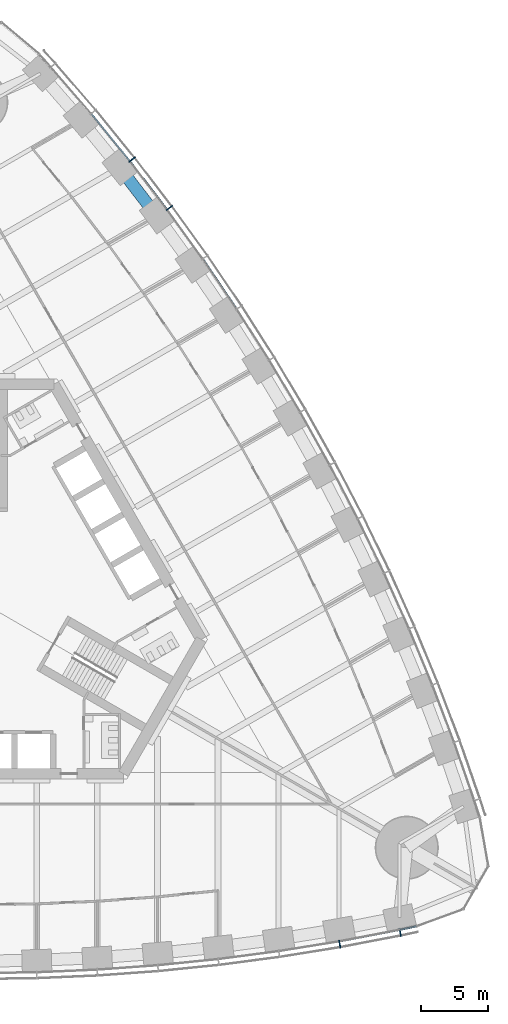
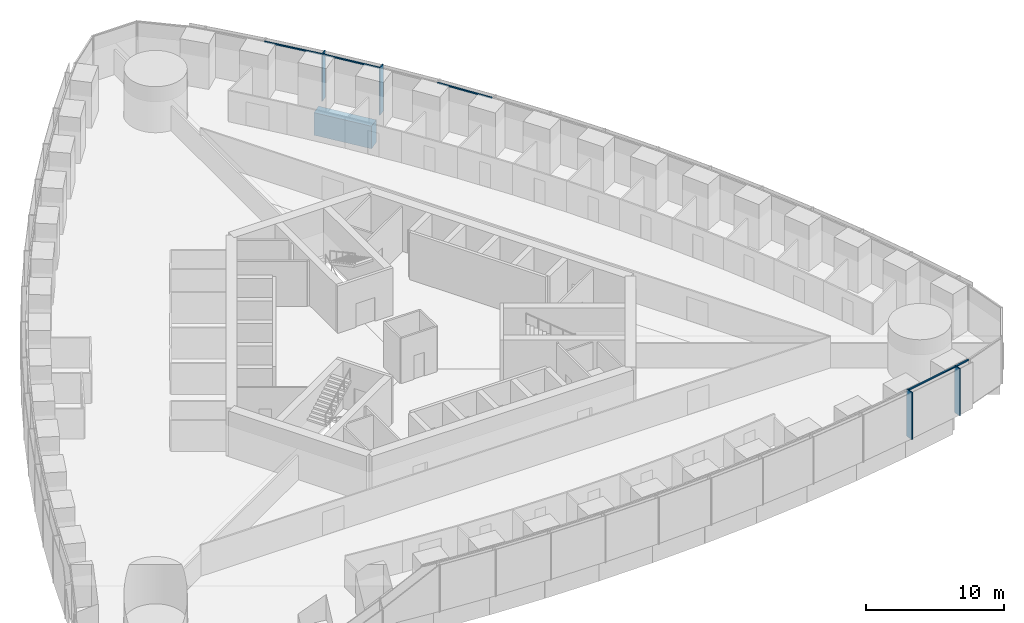
# One storey, part 5 of 18: 9 members, 1 beam, 2 elements without a shape of their own.
"""IFC4 building model written with IfcOpenShell, lengths in metres."""

from ifc_helpers import new_model, si_unit, direction, frame, origin, origin_2d, place, context, subcontext, project, spatial, rectangle, extrude, material, material_profile, profile_set, type_object, element, aggregate, save


model = new_model("IFC4")

# Units and contexts
model_context = context("Model", 3, precision=1e-05, world=origin(), true_north=direction((0.0, 1.0)))
body_context = subcontext(model_context, "Body", "Model", "MODEL_VIEW")
ifc_project = project(units=[si_unit("LENGTHUNIT", "METRE"), si_unit("AREAUNIT", "SQUARE_METRE"), si_unit("VOLUMEUNIT", "CUBIC_METRE"), si_unit("PLANEANGLEUNIT", "RADIAN"), si_unit("MASSUNIT", "GRAM", prefix="KILO")], contexts=[model_context])

# Site, building, storey
site_placement = place(None, origin())
site = spatial("IfcSite", under=ifc_project, at=site_placement, CompositionType="ELEMENT")
building_placement = place(site_placement, origin())
building = spatial("IfcBuilding", under=site, at=building_placement, Name="Trefoil Bronze Tower", CompositionType="ELEMENT")
storey_placement = place(building_placement, frame((0.0, 0.0, 62.699951171875)))
storey = spatial("IfcBuildingStorey", under=building, at=storey_placement, Name="L14", CompositionType="ELEMENT", Elevation=62.699951171875)

# Curtain wall, members
ifc_material_1 = material(Name="Tinted solar-control glass", Category="glass")
curtain_wall_type = type_object("IfcCurtainWallType", Name="Bronze office curtain wall", PredefinedType="USERDEFINED", material=ifc_material_1)
curtain_wall_1_placement = place(storey_placement, origin())
curtain_wall_1 = element("IfcCurtainWall", 1, at=curtain_wall_1_placement, inside=storey, type_object=curtain_wall_type, Name="CW-A L14 F1", ObjectType="CURTAIN WALL", PredefinedType="USERDEFINED")
ifc_material_2 = material(Name="Bronze-finish aluminium", Category="aluminium")
ifc_material_profile_1 = material_profile(ifc_material_2, rectangle(XDim=0.60009765625, YDim=0.080078125, at=origin_2d()), Name="CW-A mullion")
ifc_profile_set_1 = profile_set([ifc_material_profile_1], Name="Bronze-finish aluminium")
member_type_1 = type_object("IfcMemberType", Name="Bronze office curtain wall mullion", PredefinedType="MULLION", material=ifc_profile_set_1)
member_1_placement = place(storey_placement, frame((27.05224609375, -25.67578125, 0.0), z_axis=(0.0, 0.0, 1.0), x_axis=(-0.174131146426, 0.984722470468, 0.0)))
member_1 = element("IfcMember", 2, at=member_1_placement, type_object=member_type_1, Name="CW-A L14 F1 mullion 15", PredefinedType="MULLION", context=body_context, shape_type="SweptSolid", body=[
    extrude(rectangle(XDim=0.60009765625, YDim=0.080078125, at=origin_2d()), origin(), (0.0, 0.0, 1.0), 4.179931640625),
])
member_2_placement = place(storey_placement, frame((31.559326171875, -24.81005859375, 0.0), z_axis=(0.0, 0.0, 1.0), x_axis=(-0.197910006829, 0.98022019424, 0.0)))
member_2 = element("IfcMember", 3, at=member_2_placement, type_object=member_type_1, Name="CW-A L14 F1 mullion 16", PredefinedType="MULLION", context=body_context, shape_type="SweptSolid", body=[
    extrude(rectangle(XDim=0.60009765625, YDim=0.080078125, at=origin_2d()), origin(), (0.0, 0.0, 1.0), 4.179931640625),
])

curtain_wall_2_placement = place(storey_placement, origin())
curtain_wall_2 = element("IfcCurtainWall", 4, at=curtain_wall_2_placement, inside=storey, type_object=curtain_wall_type, Name="CW-A L14 F2", ObjectType="CURTAIN WALL", PredefinedType="USERDEFINED")
member_3_placement = place(storey_placement, frame((14.364013671875, 29.117919921875, 0.0), z_axis=(0.0, 0.0, 1.0), x_axis=(-0.802126748469, -0.59715381552, 0.0)))
member_3 = element("IfcMember", 5, at=member_3_placement, type_object=member_type_1, Name="CW-A L14 F2 mullion 13", PredefinedType="MULLION", context=body_context, shape_type="SweptSolid", body=[
    extrude(rectangle(XDim=0.60009765625, YDim=0.080078125, at=origin_2d()), origin(), (0.0, 0.0, 1.0), 4.179931640625),
])
member_4_placement = place(storey_placement, frame((11.595458984375, 32.7255859375, 0.0), z_axis=(0.0, 0.0, 1.0), x_axis=(-0.784304615744, -0.620375910011, 0.0)))
member_4 = element("IfcMember", 6, at=member_4_placement, type_object=member_type_1, Name="CW-A L14 F2 mullion 14", PredefinedType="MULLION", context=body_context, shape_type="SweptSolid", body=[
    extrude(rectangle(XDim=0.60009765625, YDim=0.080078125, at=origin_2d()), origin(), (0.0, 0.0, 1.0), 4.179931640625),
])

# Member
ifc_material_3 = material(Name="Bronze-finish aluminium", Category="aluminium")
ifc_material_profile_2 = material_profile(ifc_material_3, rectangle(XDim=0.1201171875, YDim=0.10009765625, at=origin_2d()), Name="CW-A transom")
ifc_profile_set_2 = profile_set([ifc_material_profile_2], Name="Bronze-finish aluminium")
member_type_2 = type_object("IfcMemberType", Name="Bronze office curtain wall transom", PredefinedType="USERDEFINED", material=ifc_profile_set_2)
member_5_placement = place(storey_placement, frame((27.05810546875, -25.470947265625, 4.130126953125), z_axis=(0.982053603997, 0.188602011855, 0.0), x_axis=(-0.188602011855, 0.982053603997, 0.0)))
member_5 = element("IfcMember", 7, at=member_5_placement, type_object=member_type_2, Name="CW-A L14 F1 transom 15", ObjectType="TRANSOM", PredefinedType="USERDEFINED", context=body_context, shape_type="SweptSolid", body=[
    extrude(rectangle(XDim=0.1201171875, YDim=0.10009765625, at=origin_2d()), origin(), (0.0, 0.0, 1.0), 4.502197265625),
])

member_6_placement = place(storey_placement, frame((31.559814453125, -24.605712890625, 4.130126953125), z_axis=(0.978266371807, 0.207352129942, 0.0), x_axis=(-0.207352129942, 0.978266371807, 0.0)))
member_6 = element("IfcMember", 8, at=member_6_placement, type_object=member_type_2, Name="CW-A L14 F1 transom 16", ObjectType="TRANSOM", PredefinedType="USERDEFINED", context=body_context, shape_type="SweptSolid", body=[
    extrude(rectangle(XDim=0.1201171875, YDim=0.10009765625, at=origin_2d()), origin(), (0.0, 0.0, 1.0), 1.21044921875),
])

aggregate(curtain_wall_1, [member_1, member_2, member_5, member_6])

member_7_placement = place(storey_placement, frame((19.364990234375, 21.627197265625, 4.130126953125), z_axis=(-0.561508153923, 0.827471203775, 0.0), x_axis=(-0.827471203775, -0.561508153923, 0.0)))
member_7 = element("IfcMember", 9, at=member_7_placement, type_object=member_type_2, Name="CW-A L14 F2 transom 11", ObjectType="TRANSOM", PredefinedType="USERDEFINED", context=body_context, shape_type="SweptSolid", body=[
    extrude(rectangle(XDim=0.1201171875, YDim=0.10009765625, at=origin_2d()), origin(), (0.0, 0.0, 1.0), 4.431884765625),
])

member_8_placement = place(storey_placement, frame((14.178466796875, 29.031494140625, 4.130126953125), z_axis=(-0.608829203216, 0.793301330713, 0.0), x_axis=(-0.793301330713, -0.608829203216, 0.0)))
member_8 = element("IfcMember", 10, at=member_8_placement, type_object=member_type_2, Name="CW-A L14 F2 transom 13", ObjectType="TRANSOM", PredefinedType="USERDEFINED", context=body_context, shape_type="SweptSolid", body=[
    extrude(rectangle(XDim=0.1201171875, YDim=0.10009765625, at=origin_2d()), origin(), (0.0, 0.0, 1.0), 4.458740234375),
])

member_9_placement = place(storey_placement, frame((11.412353515625, 32.6337890625, 4.130126953125), z_axis=(-0.631835540201, 0.775102477185, 0.0), x_axis=(-0.775102477185, -0.631835540201, 0.0)))
member_9 = element("IfcMember", 11, at=member_9_placement, type_object=member_type_2, Name="CW-A L14 F2 transom 14", ObjectType="TRANSOM", PredefinedType="USERDEFINED", context=body_context, shape_type="SweptSolid", body=[
    extrude(rectangle(XDim=0.1201171875, YDim=0.10009765625, at=origin_2d()), origin(), (0.0, 0.0, 1.0), 4.478271484375),
])

aggregate(curtain_wall_2, [member_3, member_4, member_7, member_8, member_9])

# Beam
ifc_material_4 = material(Name="Concrete B80", Category="concrete")
ifc_material_profile_3 = material_profile(ifc_material_4, rectangle(XDim=0.89990234375, YDim=2.0, at=origin_2d()), Name="RC 900x2000")
ifc_profile_set_3 = profile_set([ifc_material_profile_3], Name="Concrete B80")
beam_type = type_object("IfcBeamType", Name="Spandrel beam RC 900x2000", PredefinedType="SPANDREL", material=ifc_profile_set_3)
beam_placement = place(storey_placement, frame((13.42578125, 28.5361328125, -1.199951171875), z_axis=(-0.609338992146, 0.792909826305, 0.0), x_axis=(-0.792909826305, -0.609338992146, 0.0)))
element("IfcBeam", 12, at=beam_placement, inside=storey, type_object=beam_type, Name="Spandrel F2.13 L14", PredefinedType="SPANDREL", context=body_context, shape_type="SweptSolid", body=[
    extrude(rectangle(XDim=0.89990234375, YDim=2.0, at=origin_2d()), origin(), (0.0, 0.0, 1.0), 4.5390625),
])

save(model, "model.ifc")
